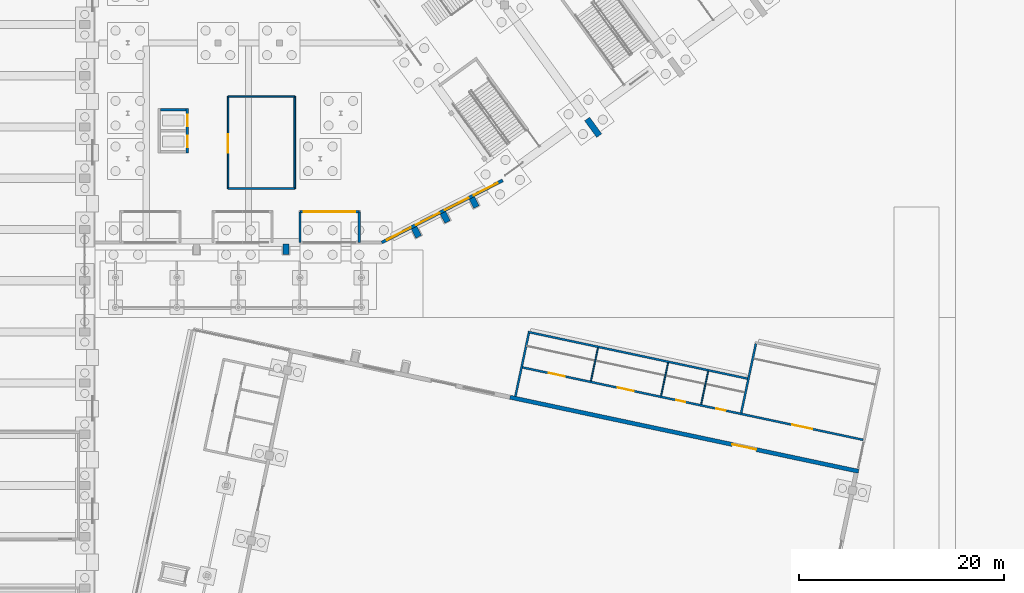
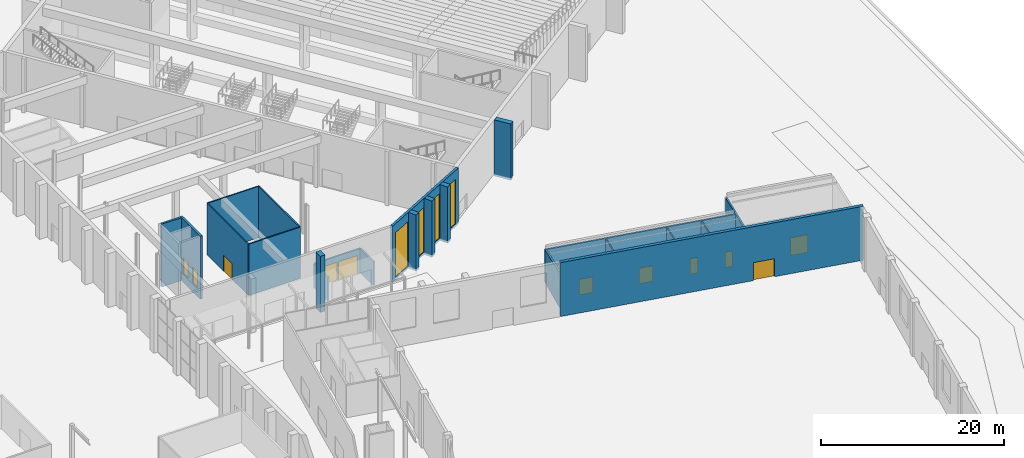
# One storey, part 183 of 239: 23 walls, 11 doors, 4 windows, 15 openings.
"""IFC4 building model written with IfcOpenShell, lengths in metres."""

from ifc_helpers import new_model, si_unit, direction, frame, frame_2d, origin, place, context, subcontext, project, spatial, polyline, rectangle, outline, extrude, material, layer, layer_set, type_object, element, fill, save


model = new_model("IFC4")

# Units and contexts
model_context = context("Model", 3, precision=1e-05, world=origin(), true_north=direction((0.0, 1.0)))
body_context = subcontext(model_context, "Body", "Model", "MODEL_VIEW")
ifc_project = project(units=[si_unit("LENGTHUNIT", "METRE"), si_unit("AREAUNIT", "SQUARE_METRE"), si_unit("VOLUMEUNIT", "CUBIC_METRE"), si_unit("PLANEANGLEUNIT", "RADIAN"), si_unit("MASSUNIT", "GRAM", prefix="KILO")], contexts=[model_context])

# Site, building, storey
site_placement = place(None, origin())
site = spatial("IfcSite", under=ifc_project, at=site_placement, CompositionType="ELEMENT")
building_placement = place(site_placement, origin())
building = spatial("IfcBuilding", under=site, at=building_placement, Name="Okhra Congress Centre", CompositionType="ELEMENT")
storey_placement = place(building_placement, origin())
storey = spatial("IfcBuildingStorey", under=building, at=storey_placement, Name="L00", CompositionType="ELEMENT", Elevation=0.0)

# Walls
ifc_material_1 = material(Name="Concrete C35/45", Category="concrete")
ifc_layer_1 = layer(ifc_material_1, 0.60009765625)
ifc_layer_set_1 = layer_set([ifc_layer_1], Name="Buttress fin 600 R 120 C35/45")
wall_type_1 = type_object("IfcWallType", Name="Buttress fin 600 R 120 C35/45", PredefinedType="SOLIDWALL", material=ifc_layer_set_1)
wall_1_placement = place(storey_placement, frame((238.047607421875, 161.784423828125, -0.300048828125), z_axis=(0.0, 0.0, 1.0), x_axis=(0.587801445368, -0.80900522917, 0.0)))
element("IfcWall", 1, at=wall_1_placement, inside=storey, type_object=wall_type_1, Name="Buttress fin S -20 L00", PredefinedType="SOLIDWALL", context=body_context, shape_type="SweptSolid", body=[
    extrude(rectangle(XDim=2.0, YDim=0.60009765625, at=frame_2d((1.0, 0.0))), origin(), (0.0, 0.0, 1.0), 7.5),
])
ifc_layer_2 = layer(ifc_material_1, 0.60009765625)
ifc_layer_set_2 = layer_set([ifc_layer_2], Name="Foyer wall fin 600 R 120 C35/45")
wall_type_2 = type_object("IfcWallType", Name="Foyer wall fin 600 R 120 C35/45", PredefinedType="SOLIDWALL", material=ifc_layer_set_2)
for number, where, z_axis, x_axis, name in (
    (2, (208.64990234375, 149.580078125, -0.300048828125), (0.0, 0.0, 1.0), (0.0, -1.0, 0.0), "Foyer wall fin 2 L00"),
    (3, (221.144775390625, 151.1767578125, -0.300048828125), (0.0, 0.0, 1.0), (0.456757693839, -0.889591147167, 0.0), "Prow wall fin 3 L00"),
):
    element("IfcWall", number, at=place(storey_placement, frame(where, z_axis=z_axis, x_axis=x_axis)), inside=storey, type_object=wall_type_2, Name=name, PredefinedType="SOLIDWALL", context=body_context, shape_type="SweptSolid", body=[
        extrude(rectangle(XDim=1.0, YDim=0.60009765625, at=frame_2d((0.5, 0.0))), origin(), (0.0, 0.0, 1.0), 7.5),
    ])
wall_2_placement = place(storey_placement, frame((223.96630859375, 152.626220703125, -0.300048828125), z_axis=(0.0, 0.0, 1.0), x_axis=(0.456950855239, -0.88949194257, 0.0)))
element("IfcWall", 4, at=wall_2_placement, inside=storey, type_object=wall_type_2, Name="Prow wall fin 4 L00", PredefinedType="SOLIDWALL", context=body_context, shape_type="SweptSolid", body=[
    extrude(rectangle(XDim=1.000244140625, YDim=0.60009765625, at=frame_2d((0.5, 0.0))), origin(), (0.0, 0.0, 1.0), 7.5),
])
wall_3_placement = place(storey_placement, frame((226.7880859375, 154.075439453125, -0.300048828125), z_axis=(0.0, 0.0, 1.0), x_axis=(0.456856907231, -0.889540199381, 0.0)))
element("IfcWall", 5, at=wall_3_placement, inside=storey, type_object=wall_type_2, Name="Prow wall fin 5 L00", PredefinedType="SOLIDWALL", context=body_context, shape_type="SweptSolid", body=[
    extrude(rectangle(XDim=0.999755859375, YDim=0.60009765625, at=frame_2d((0.5, 0.0))), origin(), (0.0, 0.0, 1.0), 7.5),
])

# Wall, opening, door
ifc_material_2 = material(Name="Insulated metal sandwich panel (mineral wool core)")
ifc_layer_3 = layer(ifc_material_2, 0.39990234375)
ifc_layer_set_3 = layer_set([ifc_layer_3], Name="Insulated wall panel 400")
wall_type_3 = type_object("IfcWallType", Name="Insulated wall panel 400", PredefinedType="SOLIDWALL", material=ifc_layer_set_3)
wall_4_placement = place(storey_placement, frame((230.514892578125, 134.620361328125, 0.0), z_axis=(0.0, 0.0, 1.0), x_axis=(0.978147473993, -0.207912287086, 0.0)))
wall_4 = element("IfcWall", 6, at=wall_4_placement, inside=storey, type_object=wall_type_3, Name="Ballroom north-east wall L00", PredefinedType="SOLIDWALL", context=body_context, shape_type="SweptSolid", body=[
    extrude(rectangle(XDim=34.800048828125, YDim=0.39990234375, at=frame_2d((17.39990234375, 0.0))), origin(), (0.0, 0.0, 1.0), 7.199951171875),
])
opening_1_placement = place(wall_4_placement, frame((22.199951171875, 0.0, 0.0)))
opening_1 = element("IfcOpeningElement", 7, at=opening_1_placement, cuts=wall_4, Name="Opening L00-113", PredefinedType="OPENING", context=body_context, shape_type="SweptSolid", body=[
    extrude(rectangle(XDim=2.39990234375, YDim=2.39990234375, at=frame_2d((1.199951171875, 1.199951171875))), frame((0.0, 0.2099609375, 0.0), z_axis=(0.0, -1.0, 0.0), x_axis=(1.0, 0.0, 0.0)), (0.0, 0.0, 1.0), 0.419921875),
])
ifc_material_3 = material(Name="Timber door leaves in steel frame", Category="steel")
door_type_1 = type_object("IfcDoorType", Name="Double swing door 2400x2400", OperationType="NOTDEFINED", PredefinedType="DOOR", material=ifc_material_3)
door_1_placement = place(opening_1_placement, origin())
door_1 = element("IfcDoor", 8, at=door_1_placement, inside=storey, type_object=door_type_1, Name="Ballroom north-east exit doors", OperationType="DOUBLE_DOOR_SINGLE_SWING", OverallHeight=2.39990234375, OverallWidth=2.39990234375, PredefinedType="DOOR", context=body_context, shape_type="SweptSolid", body=[
    extrude(rectangle(XDim=2.39990234375, YDim=2.39990234375, at=frame_2d((1.199951171875, 1.199951171875))), frame((0.0, 0.02490234375, 0.0), z_axis=(0.0, -1.0, 0.0), x_axis=(1.0, 0.0, 0.0)), (0.0, 0.0, 1.0), 0.050048828125),
])
fill(opening_1, door_1)

# Walls
ifc_material_4 = material(Name="Gypsum board on steel studs", Category="steel")
ifc_layer_4 = layer(ifc_material_4, 0.125)
ifc_layer_set_4 = layer_set([ifc_layer_4], Name="Partition 125")
wall_type_4 = type_object("IfcWallType", Name="Partition 125", PredefinedType="PARTITIONING", material=ifc_layer_set_4)
wall_5_placement = place(storey_placement, frame((238.418701171875, 136.2119140625, 0.0), z_axis=(0.0, 0.0, 1.0), x_axis=(0.207881760231, 0.978153962198, 0.0)))
element("IfcWall", 9, at=wall_5_placement, inside=storey, type_object=wall_type_4, Name="Catering annex partition wall", PredefinedType="PARTITIONING", context=body_context, shape_type="SweptSolid", body=[
    extrude(outline(polyline([(0.0, 0.0), (3.300048828125, 0.0), (3.300048828125, 4.36767578125), (0.0, 4.55224609375), (0.0, 0.0)])), frame((0.0, 0.0625, 0.0), z_axis=(0.0, -1.0, 0.0), x_axis=(1.0, 0.0, 0.0)), (0.0, 0.0, 1.0), 0.125),
])
wall_6_placement = place(storey_placement, frame((245.265625, 134.756591796875, 0.0), z_axis=(0.0, 0.0, 1.0), x_axis=(0.207896804268, 0.978150764849, 0.0)))
element("IfcWall", 10, at=wall_6_placement, inside=storey, type_object=wall_type_4, Name="Catering annex partition wall", PredefinedType="PARTITIONING", context=body_context, shape_type="SweptSolid", body=[
    extrude(outline(polyline([(0.0, 0.0), (3.2998046875, 0.0), (3.300048828125, 4.36767578125), (0.0, 4.55224609375), (0.0, 0.0)])), frame((0.0, 0.0625, 0.0), z_axis=(0.0, -1.0, 0.0), x_axis=(1.0, 0.0, 0.0)), (0.0, 0.0, 1.0), 0.125),
])
wall_7_placement = place(storey_placement, frame((249.17822265625, 133.9248046875, 0.0), z_axis=(0.0, 0.0, 1.0), x_axis=(0.207881760231, 0.978153962198, 0.0)))
element("IfcWall", 11, at=wall_7_placement, inside=storey, type_object=wall_type_4, Name="Catering annex partition wall", PredefinedType="PARTITIONING", context=body_context, shape_type="SweptSolid", body=[
    extrude(outline(polyline([(0.0, 0.0), (3.300048828125, 0.0), (3.300048828125, 4.36767578125), (0.0, 4.55224609375), (0.0, 0.0)])), frame((0.0, 0.0625, 0.0), z_axis=(0.0, -1.0, 0.0), x_axis=(1.0, 0.0, 0.0)), (0.0, 0.0, 1.0), 0.125),
])
ifc_layer_5 = layer(ifc_material_4, 0.14990234375)
ifc_layer_set_5 = layer_set([ifc_layer_5], Name="Partition 150")
wall_type_5 = type_object("IfcWallType", Name="Partition 150", PredefinedType="PARTITIONING", material=ifc_layer_set_5)
for number, where, z_axis, x_axis, name in (
    (12, (203.0, 155.0, 0.0), (0.0, 0.0, 1.0), (1.0, 0.0, 0.0), "Cloakroom wall S"),
    (13, (203.0, 164.0, 0.0), (0.0, 0.0, 1.0), (1.0, 0.0, 0.0), "Cloakroom wall N"),
):
    element("IfcWall", number, at=place(storey_placement, frame(where, z_axis=z_axis, x_axis=x_axis)), inside=storey, type_object=wall_type_5, Name=name, PredefinedType="PARTITIONING", context=body_context, shape_type="SweptSolid", body=[
        extrude(rectangle(XDim=6.5, YDim=0.14990234375, at=frame_2d((3.25, 0.0))), origin(), (0.0, 0.0, 1.0), 6.85009765625),
    ])

# Wall, opening, door
wall_8_placement = place(storey_placement, frame((203.0, 155.0, 0.0), z_axis=(0.0, 0.0, 1.0), x_axis=(0.0, 1.0, 0.0)))
wall_8 = element("IfcWall", 14, at=wall_8_placement, inside=storey, type_object=wall_type_5, Name="Cloakroom wall W", PredefinedType="PARTITIONING", context=body_context, shape_type="SweptSolid", body=[
    extrude(rectangle(XDim=9.0, YDim=0.14990234375, at=frame_2d((4.5, 0.0))), origin(), (0.0, 0.0, 1.0), 6.85009765625),
])
opening_2_placement = place(wall_8_placement, frame((3.5, 0.0, 0.0)))
opening_2 = element("IfcOpeningElement", 15, at=opening_2_placement, cuts=wall_8, Name="Opening L00-237", PredefinedType="OPENING", context=body_context, shape_type="SweptSolid", body=[
    extrude(rectangle(XDim=1.800048828125, YDim=2.10009765625, at=frame_2d((0.89990234375, 1.050048828125))), frame((0.0, 0.0849609375, 0.0), z_axis=(0.0, -1.0, 0.0), x_axis=(1.0, 0.0, 0.0)), (0.0, 0.0, 1.0), 0.169921875),
])
door_type_2 = type_object("IfcDoorType", Name="Double swing door 1800x2100", OperationType="NOTDEFINED", PredefinedType="DOOR", material=ifc_material_3)
door_2_placement = place(opening_2_placement, origin())
door_2 = element("IfcDoor", 16, at=door_2_placement, inside=storey, type_object=door_type_2, Name="Door L00-237", OperationType="DOUBLE_DOOR_SINGLE_SWING", OverallHeight=2.10009765625, OverallWidth=1.800048828125, PredefinedType="DOOR", context=body_context, shape_type="SweptSolid", body=[
    extrude(rectangle(XDim=1.800048828125, YDim=2.10009765625, at=frame_2d((0.89990234375, 1.050048828125))), frame((0.0, 0.02490234375, 0.0), z_axis=(0.0, -1.0, 0.0), x_axis=(1.0, 0.0, 0.0)), (0.0, 0.0, 1.0), 0.050048828125),
])
fill(opening_2, door_2)

# Walls
wall_9_placement = place(storey_placement, frame((209.5, 155.0, 0.0), z_axis=(0.0, 0.0, 1.0), x_axis=(0.0, 1.0, 0.0)))
element("IfcWall", 17, at=wall_9_placement, inside=storey, type_object=wall_type_5, Name="Cloakroom wall E", PredefinedType="PARTITIONING", context=body_context, shape_type="SweptSolid", body=[
    extrude(rectangle(XDim=9.0, YDim=0.14990234375, at=frame_2d((4.5, 0.0))), origin(), (0.0, 0.0, 1.0), 6.85009765625),
])
ifc_material_5 = material(Name="Concrete C30/37", Category="concrete")
ifc_layer_6 = layer(ifc_material_5, 0.199951171875)
ifc_layer_set_6 = layer_set([ifc_layer_6], Name="RC wall 200 C30/37")
wall_type_6 = type_object("IfcWallType", Name="RC wall 200 C30/37", PredefinedType="SOLIDWALL", material=ifc_layer_set_6)
for number, where, z_axis, x_axis, name in (
    (18, (210.0, 149.72998046875, 0.0), (0.0, 0.0, 1.0), (0.0, 1.0, 0.0), "Vestibule 3 side wall 1"),
    (19, (215.800048828125, 149.72998046875, 0.0), (0.0, 0.0, 1.0), (0.0, 1.0, 0.0), "Vestibule 3 side wall 2"),
):
    element("IfcWall", number, at=place(storey_placement, frame(where, z_axis=z_axis, x_axis=x_axis)), inside=storey, type_object=wall_type_6, Name=name, PredefinedType="SOLIDWALL", context=body_context, shape_type="SweptSolid", body=[
        extrude(rectangle(XDim=3.0, YDim=0.199951171875, at=frame_2d((1.5, 0.0))), origin(), (0.0, 0.0, 1.0), 3.199951171875),
    ])

# Wall, openings, doors
wall_10_placement = place(storey_placement, frame((210.0, 152.72998046875, 0.0), z_axis=(0.0, 0.0, 1.0), x_axis=(1.0, 0.0, 0.0)))
wall_10 = element("IfcWall", 20, at=wall_10_placement, inside=storey, type_object=wall_type_6, Name="Vestibule 3 inner wall", PredefinedType="SOLIDWALL", context=body_context, shape_type="SweptSolid", body=[
    extrude(rectangle(XDim=5.800048828125, YDim=0.199951171875, at=frame_2d((2.89990234375, 0.0))), origin(), (0.0, 0.0, 1.0), 3.199951171875),
])
opening_3_placement = place(wall_10_placement, frame((0.39990234375, 0.0, 0.0)))
opening_3 = element("IfcOpeningElement", 21, at=opening_3_placement, cuts=wall_10, Name="Opening L00-217", PredefinedType="OPENING", context=body_context, shape_type="SweptSolid", body=[
    extrude(rectangle(XDim=2.39990234375, YDim=2.39990234375, at=frame_2d((1.199951171875, 1.199951171875))), frame((0.0, 0.10986328125, 0.0), z_axis=(0.0, -1.0, 0.0), x_axis=(1.0, 0.0, 0.0)), (0.0, 0.0, 1.0), 0.219970703125),
])
opening_4_placement = place(wall_10_placement, frame((3.0, 0.0, 0.0)))
opening_4 = element("IfcOpeningElement", 22, at=opening_4_placement, cuts=wall_10, Name="Opening L00-219", PredefinedType="OPENING", context=body_context, shape_type="SweptSolid", body=[
    extrude(rectangle(XDim=2.39990234375, YDim=2.39990234375, at=frame_2d((1.199951171875, 1.199951171875))), frame((0.0, 0.10986328125, 0.0), z_axis=(0.0, -1.0, 0.0), x_axis=(1.0, 0.0, 0.0)), (0.0, 0.0, 1.0), 0.219970703125),
])
ifc_material_6 = material(Name="Aluminium-framed toughened glass door leaves", Category="aluminium")
door_type_3 = type_object("IfcDoorType", Name="Aluminium glazed door pair 2400x2400", OperationType="NOTDEFINED", PredefinedType="DOOR", material=ifc_material_6)
door_3_placement = place(opening_3_placement, origin())
door_3 = element("IfcDoor", 23, at=door_3_placement, inside=storey, type_object=door_type_3, Name="Door L00-217", OperationType="DOUBLE_DOOR_SINGLE_SWING", OverallHeight=2.39990234375, OverallWidth=2.39990234375, PredefinedType="DOOR", context=body_context, shape_type="SweptSolid", body=[
    extrude(rectangle(XDim=2.39990234375, YDim=2.39990234375, at=frame_2d((1.199951171875, 1.199951171875))), frame((0.0, 0.02490234375, 0.0), z_axis=(0.0, -1.0, 0.0), x_axis=(1.0, 0.0, 0.0)), (0.0, 0.0, 1.0), 0.050048828125),
])
fill(opening_3, door_3)
door_4_placement = place(opening_4_placement, origin())
door_4 = element("IfcDoor", 24, at=door_4_placement, inside=storey, type_object=door_type_3, Name="Door L00-219", OperationType="DOUBLE_DOOR_SINGLE_SWING", OverallHeight=2.39990234375, OverallWidth=2.39990234375, PredefinedType="DOOR", context=body_context, shape_type="SweptSolid", body=[
    extrude(rectangle(XDim=2.39990234375, YDim=2.39990234375, at=frame_2d((1.199951171875, 1.199951171875))), frame((0.0, 0.02490234375, 0.0), z_axis=(0.0, -1.0, 0.0), x_axis=(1.0, 0.0, 0.0)), (0.0, 0.0, 1.0), 0.050048828125),
])
fill(opening_4, door_4)

ifc_layer_7 = layer(ifc_material_5, 0.199951171875)
ifc_layer_set_7 = layer_set([ifc_layer_7], Name="RC wall 200 REI 120 C30/37")
wall_type_7 = type_object("IfcWallType", Name="RC wall 200 REI 120 C30/37", PredefinedType="SOLIDWALL", material=ifc_layer_set_7)
wall_11_placement = place(storey_placement, frame((231.746337890625, 137.52783203125, 0.0), z_axis=(0.0, 0.0, 1.0), x_axis=(0.978148575313, -0.20790710573, 0.0)))
wall_11 = element("IfcWall", 25, at=wall_11_placement, inside=storey, type_object=wall_type_7, Name="Catering corridor north wall", PredefinedType="SOLIDWALL", context=body_context, shape_type="SweptSolid", body=[
    extrude(rectangle(XDim=34.0, YDim=0.199951171875, at=frame_2d((17.0, 0.0))), origin(), (0.0, 0.0, 1.0), 4.55810546875),
])
opening_5_placement = place(wall_11_placement, frame((2.60009765625, 0.0, 0.0)))
opening_5 = element("IfcOpeningElement", 26, at=opening_5_placement, cuts=wall_11, Name="Opening L00-130", PredefinedType="OPENING", context=body_context, shape_type="SweptSolid", body=[
    extrude(rectangle(XDim=1.60009765625, YDim=2.10009765625, at=frame_2d((0.800048828125, 1.050048828125))), frame((0.0, 0.10986328125, 0.0), z_axis=(0.0, -1.0, 0.0), x_axis=(1.0, 0.0, 0.0)), (0.0, 0.0, 1.0), 0.219970703125),
])
opening_6_placement = place(wall_11_placement, frame((9.5, 0.0, 0.0)))
opening_6 = element("IfcOpeningElement", 27, at=opening_6_placement, cuts=wall_11, Name="Opening L00-131", PredefinedType="OPENING", context=body_context, shape_type="SweptSolid", body=[
    extrude(rectangle(XDim=1.60009765625, YDim=2.10009765625, at=frame_2d((0.800048828125, 1.050048828125))), frame((0.0, 0.10986328125, 0.0), z_axis=(0.0, -1.0, 0.0), x_axis=(1.0, 0.0, 0.0)), (0.0, 0.0, 1.0), 0.219970703125),
])
opening_7_placement = place(wall_11_placement, frame((15.35009765625, 0.0, 0.0)))
opening_7 = element("IfcOpeningElement", 28, at=opening_7_placement, cuts=wall_11, Name="Opening L00-132", PredefinedType="OPENING", context=body_context, shape_type="SweptSolid", body=[
    extrude(rectangle(XDim=0.89990234375, YDim=2.10009765625, at=frame_2d((0.449951171875, 1.050048828125))), frame((0.0, 0.10986328125, 0.0), z_axis=(0.0, -1.0, 0.0), x_axis=(1.0, 0.0, 0.0)), (0.0, 0.0, 1.0), 0.219970703125),
])
opening_8_placement = place(wall_11_placement, frame((19.35009765625, 0.0, 0.0)))
opening_8 = element("IfcOpeningElement", 29, at=opening_8_placement, cuts=wall_11, Name="Opening L00-133", PredefinedType="OPENING", context=body_context, shape_type="SweptSolid", body=[
    extrude(rectangle(XDim=0.89990234375, YDim=2.10009765625, at=frame_2d((0.449951171875, 1.050048828125))), frame((0.0, 0.10986328125, 0.0), z_axis=(0.0, -1.0, 0.0), x_axis=(1.0, 0.0, 0.0)), (0.0, 0.0, 1.0), 0.219970703125),
])
opening_9_placement = place(wall_11_placement, frame((26.89990234375, 0.0, 0.0)))
opening_9 = element("IfcOpeningElement", 30, at=opening_9_placement, cuts=wall_11, Name="Opening L00-134", PredefinedType="OPENING", context=body_context, shape_type="SweptSolid", body=[
    extrude(rectangle(XDim=2.0, YDim=2.39990234375, at=frame_2d((1.0, 1.199951171875))), frame((0.0, 0.10986328125, 0.0), z_axis=(0.0, -1.0, 0.0), x_axis=(1.0, 0.0, 0.0)), (0.0, 0.0, 1.0), 0.219970703125),
])
door_type_4 = type_object("IfcDoorType", Name="Double swing door 1600x2100", OperationType="NOTDEFINED", PredefinedType="DOOR", material=ifc_material_3)
door_5_placement = place(opening_5_placement, origin())
door_5 = element("IfcDoor", 31, at=door_5_placement, inside=storey, type_object=door_type_4, Name="Catering Pantry 1 door", OperationType="DOUBLE_DOOR_SINGLE_SWING", OverallHeight=2.10009765625, OverallWidth=1.60009765625, PredefinedType="DOOR", context=body_context, shape_type="SweptSolid", body=[
    extrude(rectangle(XDim=1.60009765625, YDim=2.10009765625, at=frame_2d((0.800048828125, 1.050048828125))), frame((0.0, 0.02490234375, 0.0), z_axis=(0.0, -1.0, 0.0), x_axis=(1.0, 0.0, 0.0)), (0.0, 0.0, 1.0), 0.050048828125),
])
fill(opening_5, door_5)
door_6_placement = place(opening_6_placement, origin())
door_6 = element("IfcDoor", 32, at=door_6_placement, inside=storey, type_object=door_type_4, Name="Catering Pantry 2 door", OperationType="DOUBLE_DOOR_SINGLE_SWING", OverallHeight=2.10009765625, OverallWidth=1.60009765625, PredefinedType="DOOR", context=body_context, shape_type="SweptSolid", body=[
    extrude(rectangle(XDim=1.60009765625, YDim=2.10009765625, at=frame_2d((0.800048828125, 1.050048828125))), frame((0.0, 0.02490234375, 0.0), z_axis=(0.0, -1.0, 0.0), x_axis=(1.0, 0.0, 0.0)), (0.0, 0.0, 1.0), 0.050048828125),
])
fill(opening_6, door_6)
door_type_5 = type_object("IfcDoorType", Name="Double swing door 2000x2400", OperationType="NOTDEFINED", PredefinedType="DOOR", material=ifc_material_3)
door_7_placement = place(opening_9_placement, origin())
door_7 = element("IfcDoor", 33, at=door_7_placement, inside=storey, type_object=door_type_5, Name="Furniture Store door", OperationType="DOUBLE_DOOR_SINGLE_SWING", OverallHeight=2.39990234375, OverallWidth=2.0, PredefinedType="DOOR", context=body_context, shape_type="SweptSolid", body=[
    extrude(rectangle(XDim=2.0, YDim=2.39990234375, at=frame_2d((1.0, 1.199951171875))), frame((0.0, 0.02490234375, 0.0), z_axis=(0.0, -1.0, 0.0), x_axis=(1.0, 0.0, 0.0)), (0.0, 0.0, 1.0), 0.050048828125),
])
fill(opening_9, door_7)
ifc_material_7 = material(Name="Timber door leaf in steel frame", Category="steel")
door_type_6 = type_object("IfcDoorType", Name="Single swing door 900x2100", OperationType="NOTDEFINED", PredefinedType="DOOR", material=ifc_material_7)
door_8_placement = place(opening_7_placement, origin())
door_8 = element("IfcDoor", 34, at=door_8_placement, inside=storey, type_object=door_type_6, Name="Preparation Room 1 door", OperationType="SINGLE_SWING_LEFT", OverallHeight=2.10009765625, OverallWidth=0.89990234375, PredefinedType="DOOR", context=body_context, shape_type="SweptSolid", body=[
    extrude(rectangle(XDim=0.89990234375, YDim=2.10009765625, at=frame_2d((0.449951171875, 1.050048828125))), frame((0.0, 0.02490234375, 0.0), z_axis=(0.0, -1.0, 0.0), x_axis=(1.0, 0.0, 0.0)), (0.0, 0.0, 1.0), 0.050048828125),
])
fill(opening_7, door_8)
door_9_placement = place(opening_8_placement, origin())
door_9 = element("IfcDoor", 35, at=door_9_placement, inside=storey, type_object=door_type_6, Name="Preparation Room 2 door", OperationType="SINGLE_SWING_LEFT", OverallHeight=2.10009765625, OverallWidth=0.89990234375, PredefinedType="DOOR", context=body_context, shape_type="SweptSolid", body=[
    extrude(rectangle(XDim=0.89990234375, YDim=2.10009765625, at=frame_2d((0.449951171875, 1.050048828125))), frame((0.0, 0.02490234375, 0.0), z_axis=(0.0, -1.0, 0.0), x_axis=(1.0, 0.0, 0.0)), (0.0, 0.0, 1.0), 0.050048828125),
])
fill(opening_8, door_9)

# Walls
wall_12_placement = place(storey_placement, frame((232.278564453125, 140.992919921875, 0.0), z_axis=(0.0, 0.0, 1.0), x_axis=(0.978147913223, -0.207910220665, 0.0)))
element("IfcWall", 36, at=wall_12_placement, inside=storey, type_object=wall_type_7, Name="Catering annex north wall", PredefinedType="SOLIDWALL", context=body_context, shape_type="SweptSolid", body=[
    extrude(rectangle(XDim=21.89990234375, YDim=0.199951171875, at=frame_2d((10.949951171875, 0.0))), origin(), (0.0, 0.0, 1.0), 4.362060546875),
])
wall_13_placement = place(storey_placement, frame((231.045654296875, 134.712158203125, 0.0), z_axis=(0.0, 0.0, 1.0), x_axis=(0.207906493586, 0.978148705425, 0.0)))
element("IfcWall", 37, at=wall_13_placement, inside=storey, type_object=wall_type_7, Name="Catering annex west wall", PredefinedType="SOLIDWALL", context=body_context, shape_type="SweptSolid", body=[
    extrude(outline(polyline([(0.0, 0.0), (6.300048828125, 0.0), (6.300048828125, 4.36767578125), (0.0, 4.719970703125), (0.0, 0.0)])), frame((0.0, 0.10009765625, 0.0), z_axis=(0.0, -1.0, 0.0), x_axis=(1.0, 0.0, 0.0)), (0.0, 0.0, 1.0), 0.199951171875),
])
wall_14_placement = place(storey_placement, frame((253.0908203125, 133.09326171875, 0.0), z_axis=(0.0, 0.0, 1.0), x_axis=(0.207907420351, 0.97814850844, 0.0)))
element("IfcWall", 38, at=wall_14_placement, inside=storey, type_object=wall_type_7, Name="Catering annex partition wall", PredefinedType="SOLIDWALL", context=body_context, shape_type="SweptSolid", body=[
    extrude(outline(polyline([(0.0, 0.0), (6.900146484375, 0.0), (6.89990234375, 4.16650390625), (0.0, 4.55224609375), (0.0, 0.0)])), frame((0.0, 0.10009765625, 0.0), z_axis=(0.0, -1.0, 0.0), x_axis=(1.0, 0.0, 0.0)), (0.0, 0.0, 1.0), 0.199951171875),
])

# Wall, openings, doors
ifc_layer_8 = layer(ifc_material_5, 0.25)
ifc_layer_set_8 = layer_set([ifc_layer_8], Name="RC wall 250 REI 120 C30/37")
wall_type_8 = type_object("IfcWallType", Name="RC wall 250 REI 120 C30/37", PredefinedType="SOLIDWALL", material=ifc_layer_set_8)
wall_15_placement = place(storey_placement, frame((199.02490234375, 158.449951171875, -1.199951171875), z_axis=(0.0, 0.0, 1.0), x_axis=(0.0, 1.0, 0.0)))
wall_15 = element("IfcWall", 39, at=wall_15_placement, inside=storey, type_object=wall_type_8, Name="Lift shaft east wall L00", PredefinedType="SOLIDWALL", context=body_context, shape_type="SweptSolid", body=[
    extrude(rectangle(XDim=4.35009765625, YDim=0.25, at=frame_2d((2.175048828125, 0.0))), origin(), (0.0, 0.0, 1.0), 8.39990234375),
])
opening_10_placement = place(wall_15_placement, frame((0.60009765625, 0.0, 1.199951171875)))
opening_10 = element("IfcOpeningElement", 40, at=opening_10_placement, cuts=wall_15, Name="Opening L00-232", PredefinedType="OPENING", context=body_context, shape_type="SweptSolid", body=[
    extrude(rectangle(XDim=1.10009765625, YDim=2.10009765625, at=frame_2d((0.550048828125, 1.050048828125))), frame((0.0, 0.135009765625, 0.0), z_axis=(0.0, -1.0, 0.0), x_axis=(1.0, 0.0, 0.0)), (0.0, 0.0, 1.0), 0.27001953125),
])
opening_11_placement = place(wall_15_placement, frame((2.64990234375, 0.0, 1.199951171875)))
opening_11 = element("IfcOpeningElement", 41, at=opening_11_placement, cuts=wall_15, Name="Opening L00-233", PredefinedType="OPENING", context=body_context, shape_type="SweptSolid", body=[
    extrude(rectangle(XDim=1.10009765625, YDim=2.10009765625, at=frame_2d((0.550048828125, 1.050048828125))), frame((0.0, 0.135009765625, 0.0), z_axis=(0.0, -1.0, 0.0), x_axis=(1.0, 0.0, 0.0)), (0.0, 0.0, 1.0), 0.27001953125),
])
ifc_material_8 = material(Name="Stainless steel sliding landing door leaves", Category="steel")
door_type_7 = type_object("IfcDoorType", Name="Lift landing door 1100x2100 EI 30", OperationType="DOUBLE_DOOR_SLIDING", PredefinedType="DOOR", material=ifc_material_8)
door_10_placement = place(opening_10_placement, origin())
door_10 = element("IfcDoor", 42, at=door_10_placement, inside=storey, type_object=door_type_7, Name="Door L00-232", OperationType="DOUBLE_DOOR_SLIDING", OverallHeight=2.10009765625, OverallWidth=1.10009765625, PredefinedType="DOOR", context=body_context, shape_type="SweptSolid", body=[
    extrude(rectangle(XDim=1.10009765625, YDim=2.10009765625, at=frame_2d((0.550048828125, 1.050048828125))), frame((0.0, 0.02490234375, 0.0), z_axis=(0.0, -1.0, 0.0), x_axis=(1.0, 0.0, 0.0)), (0.0, 0.0, 1.0), 0.050048828125),
])
fill(opening_10, door_10)
door_11_placement = place(opening_11_placement, origin())
door_11 = element("IfcDoor", 43, at=door_11_placement, inside=storey, type_object=door_type_7, Name="Door L00-233", OperationType="DOUBLE_DOOR_SLIDING", OverallHeight=2.10009765625, OverallWidth=1.10009765625, PredefinedType="DOOR", context=body_context, shape_type="SweptSolid", body=[
    extrude(rectangle(XDim=1.10009765625, YDim=2.10009765625, at=frame_2d((0.550048828125, 1.050048828125))), frame((0.0, 0.02490234375, 0.0), z_axis=(0.0, -1.0, 0.0), x_axis=(1.0, 0.0, 0.0)), (0.0, 0.0, 1.0), 0.050048828125),
])
fill(opening_11, door_11)

# Wall
wall_16_placement = place(storey_placement, frame((196.39990234375, 162.675048828125, -1.199951171875), z_axis=(0.0, 0.0, 1.0), x_axis=(1.0, 0.0, 0.0)))
element("IfcWall", 44, at=wall_16_placement, inside=storey, type_object=wall_type_8, Name="Lift shaft wall N L00", PredefinedType="SOLIDWALL", context=body_context, shape_type="SweptSolid", body=[
    extrude(rectangle(XDim=2.5, YDim=0.25, at=frame_2d((1.25, 0.0))), origin(), (0.0, 0.0, 1.0), 8.39990234375),
])

# Wall, openings, windows
ifc_layer_9 = layer(ifc_material_5, 0.300048828125)
ifc_layer_set_9 = layer_set([ifc_layer_9], Name="RC wall 300 REI 120 C30/37")
wall_type_9 = type_object("IfcWallType", Name="RC wall 300 REI 120 C30/37", PredefinedType="SOLIDWALL", material=ifc_layer_set_9)
wall_17_placement = place(storey_placement, frame((218.0, 149.72998046875, -0.300048828125), z_axis=(0.0, 0.0, 1.0), x_axis=(0.889510193678, 0.456915326228, 0.0)))
wall_17 = element("IfcWall", 45, at=wall_17_placement, inside=storey, type_object=wall_type_9, Name="Foyer chamfer wall L00", PredefinedType="SOLIDWALL", context=body_context, shape_type="SweptSolid", body=[
    extrude(rectangle(XDim=13.2607421875, YDim=0.300048828125, at=frame_2d((6.63037109375, 0.0))), origin(), (0.0, 0.0, 1.0), 7.5),
])
opening_12_placement = place(wall_17_placement, frame((0.572265625, 0.0, 0.300048828125)))
opening_12 = element("IfcOpeningElement", 46, at=opening_12_placement, cuts=wall_17, Name="Opening WN30", PredefinedType="OPENING", context=body_context, shape_type="SweptSolid", body=[
    extrude(rectangle(XDim=2.60009765625, YDim=6.0, at=frame_2d((1.300048828125, 3.0))), frame((0.0, 0.159912109375, 0.0), z_axis=(0.0, -1.0, 0.0), x_axis=(1.0, 0.0, 0.0)), (0.0, 0.0, 1.0), 0.320068359375),
])
opening_13_placement = place(wall_17_placement, frame((3.744384765625, 0.0, 0.300048828125)))
opening_13 = element("IfcOpeningElement", 47, at=opening_13_placement, cuts=wall_17, Name="Opening WN30", PredefinedType="OPENING", context=body_context, shape_type="SweptSolid", body=[
    extrude(rectangle(XDim=2.60009765625, YDim=6.0, at=frame_2d((1.300048828125, 3.0))), frame((0.0, 0.159912109375, 0.0), z_axis=(0.0, -1.0, 0.0), x_axis=(1.0, 0.0, 0.0)), (0.0, 0.0, 1.0), 0.320068359375),
])
opening_14_placement = place(wall_17_placement, frame((6.91650390625, 0.0, 0.300048828125)))
opening_14 = element("IfcOpeningElement", 48, at=opening_14_placement, cuts=wall_17, Name="Opening WN30", PredefinedType="OPENING", context=body_context, shape_type="SweptSolid", body=[
    extrude(rectangle(XDim=2.60009765625, YDim=6.0, at=frame_2d((1.300048828125, 3.0))), frame((0.0, 0.159912109375, 0.0), z_axis=(0.0, -1.0, 0.0), x_axis=(1.0, 0.0, 0.0)), (0.0, 0.0, 1.0), 0.320068359375),
])
opening_15_placement = place(wall_17_placement, frame((10.088623046875, 0.0, 0.300048828125)))
opening_15 = element("IfcOpeningElement", 49, at=opening_15_placement, cuts=wall_17, Name="Opening WN30", PredefinedType="OPENING", context=body_context, shape_type="SweptSolid", body=[
    extrude(rectangle(XDim=2.60009765625, YDim=6.0, at=frame_2d((1.300048828125, 3.0))), frame((0.0, 0.159912109375, 0.0), z_axis=(0.0, -1.0, 0.0), x_axis=(1.0, 0.0, 0.0)), (0.0, 0.0, 1.0), 0.320068359375),
])
ifc_material_9 = material(Name="Thermally broken aluminium frame, triple glazing", Category="aluminium")
window_type = type_object("IfcWindowType", Name="Fixed window 2600x6000", PartitioningType="SINGLE_PANEL", PredefinedType="WINDOW", material=ifc_material_9)
window_1_placement = place(opening_12_placement, origin())
window_1 = element("IfcWindow", 50, at=window_1_placement, inside=storey, type_object=window_type, Name="Foyer prow glazing", OverallHeight=6.0, OverallWidth=2.60009765625, PartitioningType="SINGLE_PANEL", PredefinedType="WINDOW", context=body_context, shape_type="SweptSolid", body=[
    extrude(rectangle(XDim=2.60009765625, YDim=6.0, at=frame_2d((1.300048828125, 3.0))), frame((0.0, 0.030029296875, 0.0), z_axis=(0.0, -1.0, 0.0), x_axis=(1.0, 0.0, 0.0)), (0.0, 0.0, 1.0), 0.06005859375),
])
fill(opening_12, window_1)
window_2_placement = place(opening_13_placement, origin())
window_2 = element("IfcWindow", 51, at=window_2_placement, inside=storey, type_object=window_type, Name="Foyer prow glazing", OverallHeight=6.0, OverallWidth=2.60009765625, PartitioningType="SINGLE_PANEL", PredefinedType="WINDOW", context=body_context, shape_type="SweptSolid", body=[
    extrude(rectangle(XDim=2.60009765625, YDim=6.0, at=frame_2d((1.300048828125, 3.0))), frame((0.0, 0.030029296875, 0.0), z_axis=(0.0, -1.0, 0.0), x_axis=(1.0, 0.0, 0.0)), (0.0, 0.0, 1.0), 0.06005859375),
])
fill(opening_13, window_2)
window_3_placement = place(opening_14_placement, origin())
window_3 = element("IfcWindow", 52, at=window_3_placement, inside=storey, type_object=window_type, Name="Foyer prow glazing", OverallHeight=6.0, OverallWidth=2.60009765625, PartitioningType="SINGLE_PANEL", PredefinedType="WINDOW", context=body_context, shape_type="SweptSolid", body=[
    extrude(rectangle(XDim=2.60009765625, YDim=6.0, at=frame_2d((1.300048828125, 3.0))), frame((0.0, 0.030029296875, 0.0), z_axis=(0.0, -1.0, 0.0), x_axis=(1.0, 0.0, 0.0)), (0.0, 0.0, 1.0), 0.06005859375),
])
fill(opening_14, window_3)
window_4_placement = place(opening_15_placement, origin())
window_4 = element("IfcWindow", 53, at=window_4_placement, inside=storey, type_object=window_type, Name="Foyer prow glazing", OverallHeight=6.0, OverallWidth=2.60009765625, PartitioningType="SINGLE_PANEL", PredefinedType="WINDOW", context=body_context, shape_type="SweptSolid", body=[
    extrude(rectangle(XDim=2.60009765625, YDim=6.0, at=frame_2d((1.300048828125, 3.0))), frame((0.0, 0.030029296875, 0.0), z_axis=(0.0, -1.0, 0.0), x_axis=(1.0, 0.0, 0.0)), (0.0, 0.0, 1.0), 0.06005859375),
])
fill(opening_15, window_4)

save(model, "model.ifc")
